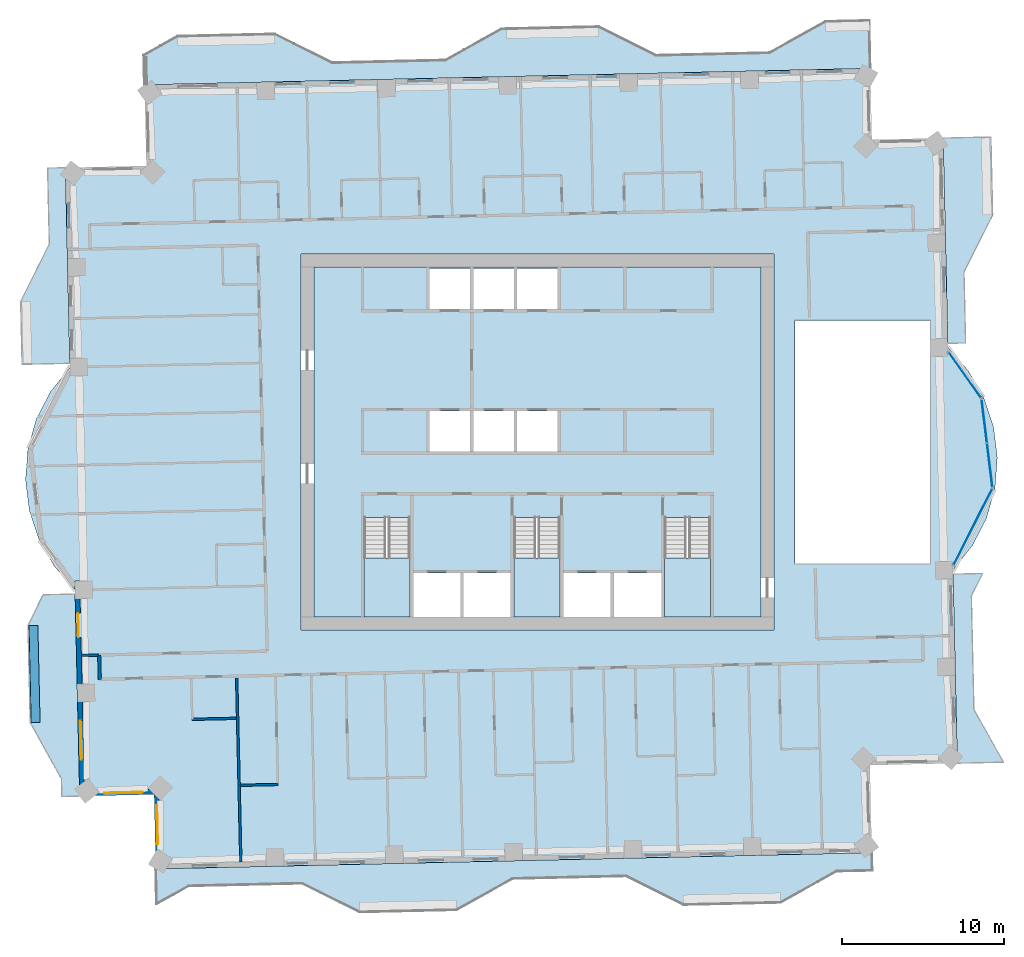
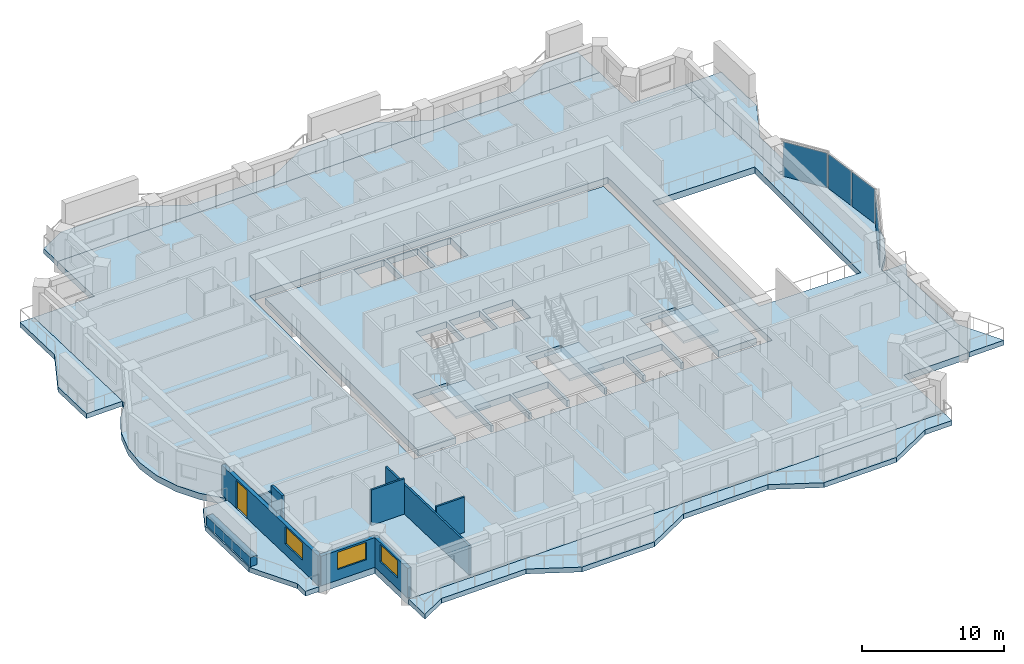
# One storey, part 5 of 17: 11 slabs, 9 walls, 4 plates, 3 windows, 1 door, 4 openings, 6 elements without a shape of their own.
"""IFC4 building model written with IfcOpenShell, lengths in metres."""

from ifc_helpers import new_model, si_unit, direction, frame, frame_2d, origin, origin_2d, place, context, subcontext, project, spatial, polyline, rectangle, outline, extrude, material, layer, layer_set, type_object, element, fill, aggregate, save


model = new_model("IFC4")

# Units and contexts
model_context = context("Model", 3, precision=1e-05, world=origin(), true_north=direction((0.0, 1.0)))
body_context = subcontext(model_context, "Body", "Model", "MODEL_VIEW")
ifc_project = project(units=[si_unit("LENGTHUNIT", "METRE"), si_unit("AREAUNIT", "SQUARE_METRE"), si_unit("VOLUMEUNIT", "CUBIC_METRE"), si_unit("PLANEANGLEUNIT", "RADIAN"), si_unit("MASSUNIT", "GRAM", prefix="KILO")], contexts=[model_context])

# Site, building, storey
site_placement = place(None, origin())
site = spatial("IfcSite", under=ifc_project, at=site_placement, CompositionType="ELEMENT")
building_placement = place(site_placement, origin())
building = spatial("IfcBuilding", under=site, at=building_placement, Name="Mangrove Gate Tower", CompositionType="ELEMENT")
storey_placement = place(building_placement, frame((0.0, 0.0, 234.699951171875)))
storey = spatial("IfcBuildingStorey", under=building, at=storey_placement, Name="L59", CompositionType="ELEMENT", Elevation=234.699951171875)

# Curtain wall, plate
ifc_material_1 = material(Name="Aluminium and glass curtain wall", Category="aluminium")
curtain_wall_type = type_object("IfcCurtainWallType", Name="Atrium garden-court glazing wall", PredefinedType="NOTDEFINED", material=ifc_material_1)
curtain_wall_1_placement = place(storey_placement, origin())
curtain_wall_1 = element("IfcCurtainWall", 1, at=curtain_wall_1_placement, inside=storey, type_object=curtain_wall_type, Name="Atrium garden-court glazing E1f1", PredefinedType="NOTDEFINED")
ifc_material_2 = material(Name="Laminated low-e glass", Category="glass")
ifc_layer_1 = layer(ifc_material_2, 0.031982421875)
ifc_layer_set_1 = layer_set([ifc_layer_1], Name="Atrium garden-court glazing panel 32")
plate_type = type_object("IfcPlateType", Name="Atrium garden-court glazing panel 32", PredefinedType="CURTAIN_PANEL", material=ifc_layer_set_1)
plate_1_placement = place(storey_placement, frame((26.87890625, -5.256591796875, 0.0), z_axis=(0.0, 0.0, 1.0), x_axis=(0.452597795636, 0.891714772439, 0.0)))
plate_1 = element("IfcPlate", 2, at=plate_1_placement, type_object=plate_type, Name="CWA panel 1.1", PredefinedType="CURTAIN_PANEL", context=body_context, shape_type="SweptSolid", body=[
    extrude(rectangle(XDim=5.258056640625, YDim=0.031982421875, at=origin_2d()), origin(), (0.0, 0.0, 1.0), 2.97998046875),
])
aggregate(curtain_wall_1, [plate_1])

# Curtain wall, plates
curtain_wall_2_placement = place(storey_placement, origin())
curtain_wall_2 = element("IfcCurtainWall", 3, at=curtain_wall_2_placement, inside=storey, type_object=curtain_wall_type, Name="Atrium garden-court glazing E1f2", PredefinedType="NOTDEFINED")
plate_2_placement = place(storey_placement, frame((27.92822265625, -1.449462890625, 0.0), z_axis=(0.0, 0.0, 1.0), x_axis=(-0.122172285885, 0.992508908051, 0.0)))
plate_2 = element("IfcPlate", 4, at=plate_2_placement, type_object=plate_type, Name="CWA panel 1.1", PredefinedType="CURTAIN_PANEL", context=body_context, shape_type="SweptSolid", body=[
    extrude(rectangle(XDim=2.681640625, YDim=0.031982421875, at=origin_2d()), origin(), (0.0, 0.0, 1.0), 2.97998046875),
])
plate_3_placement = place(storey_placement, frame((27.592041015625, 1.281494140625, 0.0), z_axis=(0.0, 0.0, 1.0), x_axis=(-0.122172285885, 0.992508908051, 0.0)))
plate_3 = element("IfcPlate", 5, at=plate_3_placement, type_object=plate_type, Name="CWA panel 2.1", PredefinedType="CURTAIN_PANEL", context=body_context, shape_type="SweptSolid", body=[
    extrude(rectangle(XDim=2.681640625, YDim=0.031982421875, at=origin_2d()), origin(), (0.0, 0.0, 1.0), 2.97998046875),
])
aggregate(curtain_wall_2, [plate_2, plate_3])

# Curtain wall, plate
curtain_wall_3_placement = place(storey_placement, origin())
curtain_wall_3 = element("IfcCurtainWall", 6, at=curtain_wall_3_placement, inside=storey, type_object=curtain_wall_type, Name="Atrium garden-court glazing E1f3", PredefinedType="NOTDEFINED")
plate_4_placement = place(storey_placement, frame((26.38818359375, 4.1376953125, 0.0), z_axis=(0.0, 0.0, 1.0), x_axis=(-0.578120908245, 0.815951110944, 0.0)))
plate_4 = element("IfcPlate", 7, at=plate_4_placement, type_object=plate_type, Name="CWA panel 1.1", PredefinedType="CURTAIN_PANEL", context=body_context, shape_type="SweptSolid", body=[
    extrude(rectangle(XDim=3.4287109375, YDim=0.031982421875, at=origin_2d()), origin(), (0.0, 0.0, 1.0), 2.97998046875),
])
aggregate(curtain_wall_3, [plate_4])

# Slabs
ifc_material_3 = material(Name="Porcelain tile")
ifc_layer_2 = layer(ifc_material_3, 0.02001953125, Name="Tile finish")
ifc_material_4 = material(Name="Cement sand screed")
ifc_layer_3 = layer(ifc_material_4, 0.0400390625, Name="Screed laid to falls")
ifc_material_5 = material(Name="Bituminous waterproofing membrane")
ifc_layer_4 = layer(ifc_material_5, 0.00390625, Name="Waterproofing")
ifc_material_6 = material(Name="Concrete C40/50", Category="concrete")
ifc_layer_5 = layer(ifc_material_6, 0.340087890625, Name="Balcony structural slab")
ifc_material_7 = material(Name="Limestone", Category="masonry")
ifc_layer_6 = layer(ifc_material_7, 0.01611328125, Name="Soffit lining")
ifc_layer_set_2 = layer_set([ifc_layer_2, ifc_layer_3, ifc_layer_4, ifc_layer_5, ifc_layer_6], Name="Balcony slab 420 C40/50")
slab_type_1 = type_object("IfcSlabType", Name="Balcony slab 420 C40/50", PredefinedType="FLOOR", material=ifc_layer_set_2)
slab_1_placement = place(storey_placement, frame((0.0, 0.0, -0.419921875)))
element("IfcSlab", 8, at=slab_1_placement, inside=storey, type_object=slab_type_1, Name="BALCONY L59 E0", PredefinedType="FLOOR", context=body_context, shape_type="SweptSolid", body=[
    extrude(outline(polyline([(28.806884765625, -19.764892578125), (26.988037109375, -16.5048828125), (26.830078125, -9.507080078125), (27.52490234375, -8.115966796875), (25.658935546875, -8.158935546875), (25.68994140625, -9.532958984375), (25.84912109375, -16.531005859375), (25.924072265625, -19.830078125), (28.806884765625, -19.764892578125)])), origin(), (0.0, 0.0, 1.0), 0.419921875),
])
slab_2_placement = place(storey_placement, frame((0.0, 0.0, -0.419921875)))
element("IfcSlab", 9, at=slab_2_placement, inside=storey, type_object=slab_type_1, Name="BALCONY L59 E1", PredefinedType="FLOOR", context=body_context, shape_type="SweptSolid", body=[
    extrude(outline(polyline([(26.47509765625, 6.114013671875), (26.3759765625, 10.488037109375), (28.14599609375, 14.029052734375), (28.037109375, 18.827880859375), (25.048095703125, 18.760009765625), (25.156982421875, 13.9609375), (25.236083984375, 10.4619140625), (25.3349609375, 6.087890625), (26.47509765625, 6.114013671875)])), origin(), (0.0, 0.0, 1.0), 0.419921875),
])
slab_3_placement = place(storey_placement, frame((0.0, 0.0, -0.419921875)))
element("IfcSlab", 10, at=slab_3_placement, inside=storey, type_object=slab_type_1, Name="BALCONY L59 N0", PredefinedType="FLOOR", context=body_context, shape_type="SweptSolid", body=[
    extrude(outline(polyline([(20.48095703125, 26.048095703125), (17.778076171875, 25.987060546875), (14.321044921875, 24.05810546875), (7.322998046875, 23.89892578125), (3.781982421875, 25.6689453125), (-2.217041015625, 25.532958984375), (-5.674072265625, 23.60400390625), (-12.672119140625, 23.446044921875), (-16.212890625, 25.215087890625), (-22.2119140625, 25.0791015625), (-24.2900390625, 23.919921875), (-24.2470703125, 22.0419921875), (20.549072265625, 23.05908203125), (20.48095703125, 26.048095703125)])), origin(), (0.0, 0.0, 1.0), 0.419921875),
])
slab_4_placement = place(storey_placement, frame((0.0, 0.0, -0.419921875)))
element("IfcSlab", 11, at=slab_4_placement, inside=storey, type_object=slab_type_1, Name="BALCONY L59 W0", PredefinedType="FLOOR", context=body_context, shape_type="SweptSolid", body=[
    extrude(outline(polyline([(-30.27197265625, 16.904052734375), (-30.166015625, 12.205078125), (-31.93603515625, 8.6640625), (-31.847900390625, 4.791015625), (-28.85888671875, 4.85888671875), (-28.947021484375, 8.73193359375), (-29.02587890625, 12.23095703125), (-29.133056640625, 16.929931640625), (-30.27197265625, 16.904052734375)])), origin(), (0.0, 0.0, 1.0), 0.419921875),
])
slab_5_placement = place(storey_placement, frame((0.0, 0.0, -0.419921875)))
element("IfcSlab", 12, at=slab_5_placement, inside=storey, type_object=slab_type_1, Name="BALCONY L59 W1", PredefinedType="FLOOR", context=body_context, shape_type="SweptSolid", body=[
    extrude(outline(polyline([(-30.533935546875, -9.43408203125), (-31.48193359375, -11.330078125), (-31.345947265625, -17.3291015625), (-29.4169921875, -20.785888671875), (-29.39208984375, -21.885986328125), (-28.251953125, -21.860107421875), (-28.277099609375, -20.760009765625), (-28.35693359375, -17.260986328125), (-28.492919921875, -11.262939453125), (-28.534912109375, -9.387939453125), (-30.533935546875, -9.43408203125)])), origin(), (0.0, 0.0, 1.0), 0.419921875),
])
slab_6_placement = place(storey_placement, frame((0.0, 0.0, -0.419921875)))
element("IfcSlab", 13, at=slab_6_placement, inside=storey, type_object=slab_type_1, Name="BALCONY L59 S0", PredefinedType="FLOOR", context=body_context, shape_type="SweptSolid", body=[
    extrude(outline(polyline([(-23.4990234375, -28.552978515625), (-21.52001953125, -27.448974609375), (-14.52197265625, -27.2900390625), (-10.98095703125, -29.06005859375), (-4.98193359375, -28.924072265625), (-1.52490234375, -26.9951171875), (5.472900390625, -26.8369140625), (9.013916015625, -28.60595703125), (15.012939453125, -28.469970703125), (18.469970703125, -26.541015625), (20.673095703125, -26.490966796875), (20.64697265625, -25.35107421875), (-23.549072265625, -26.35400390625), (-23.4990234375, -28.552978515625)])), origin(), (0.0, 0.0, 1.0), 0.419921875),
])
ifc_material_8 = material(Name="Concrete C40/50", Category="concrete")
ifc_layer_7 = layer(ifc_material_8, 0.550048828125)
ifc_layer_set_3 = layer_set([ifc_layer_7], Name="Core floor slab 550 C40/50")
slab_type_2 = type_object("IfcSlabType", Name="Core floor slab 550 C40/50", PredefinedType="FLOOR", material=ifc_layer_set_3)
slab_7_placement = place(storey_placement, frame((0.0, 0.0, -0.550048828125)))
element("IfcSlab", 14, at=slab_7_placement, inside=storey, type_object=slab_type_2, Name="SLAB-L59-CORE-1", PredefinedType="FLOOR", context=body_context, shape_type="SweptSolid", body=[
    extrude(outline(polyline([(-13.800048828125, -10.800048828125), (-13.800048828125, 10.800048828125), (13.800048828125, 10.800048828125), (13.800048828125, -10.800048828125), (10.699951171875, -10.800048828125), (10.699951171875, -4.653076171875), (7.85009765625, -4.653076171875), (7.85009765625, -10.800048828125), (7.64990234375, -10.800048828125), (7.64990234375, -8.10009765625), (4.72509765625, -8.10009765625), (4.72509765625, -10.800048828125), (4.52490234375, -10.800048828125), (4.52490234375, -8.10009765625), (1.60009765625, -8.10009765625), (1.60009765625, -10.800048828125), (1.39990234375, -10.800048828125), (1.39990234375, -4.653076171875), (-1.449951171875, -4.653076171875), (-1.449951171875, -10.800048828125), (-1.64990234375, -10.800048828125), (-1.64990234375, -8.10009765625), (-4.550048828125, -8.10009765625), (-4.550048828125, -10.800048828125), (-4.75, -10.800048828125), (-4.75, -8.10009765625), (-7.64990234375, -8.10009765625), (-7.64990234375, -10.800048828125), (-7.85009765625, -10.800048828125), (-7.85009765625, -4.653076171875), (-10.699951171875, -4.653076171875), (-10.699951171875, -10.800048828125), (-13.800048828125, -10.800048828125)]), holes=[polyline([(-4.14990234375, 1.89990234375), (-6.64990234375, 1.89990234375), (-6.64990234375, -0.60009765625), (-4.14990234375, -0.60009765625), (-4.14990234375, 1.89990234375)]), polyline([(-1.449951171875, -0.60009765625), (-1.449951171875, 1.89990234375), (-3.949951171875, 1.89990234375), (-3.949951171875, -0.60009765625), (-1.449951171875, -0.60009765625)]), polyline([(-4.14990234375, 8.199951171875), (-4.14990234375, 10.699951171875), (-6.64990234375, 10.699951171875), (-6.64990234375, 8.199951171875), (-4.14990234375, 8.199951171875)]), polyline([(-1.449951171875, 10.699951171875), (-3.949951171875, 10.699951171875), (-3.949951171875, 8.199951171875), (-1.449951171875, 8.199951171875), (-1.449951171875, 10.699951171875)]), polyline([(1.25, -0.60009765625), (1.25, 1.89990234375), (-1.25, 1.89990234375), (-1.25, -0.60009765625), (1.25, -0.60009765625)]), polyline([(1.25, 8.199951171875), (1.25, 10.699951171875), (-1.25, 10.699951171875), (-1.25, 8.199951171875), (1.25, 8.199951171875)])]), origin(), (0.0, 0.0, 1.0), 0.550048828125),
])

# Stair, slab
ifc_material_9 = material(Name="Concrete C40/50", Category="concrete")
stair_type = type_object("IfcStairType", Name="Core stair 1350", PredefinedType="HALF_TURN_STAIR", material=ifc_material_9)
stair_1_placement = place(storey_placement, origin())
stair_1 = element("IfcStair", 15, at=stair_1_placement, inside=storey, type_object=stair_type, Name="L59 Stair 1", PredefinedType="HALF_TURN_STAIR")
ifc_material_10 = material(Name="Concrete C40/50", Category="concrete")
ifc_layer_8 = layer(ifc_material_10, 0.199951171875)
ifc_layer_set_4 = layer_set([ifc_layer_8], Name="Core stair landing 200")
slab_type_3 = type_object("IfcSlabType", Name="Core stair landing 200", PredefinedType="LANDING", material=ifc_layer_set_4)
slab_8_placement = place(storey_placement, frame((0.0, 0.0, 1.60009765625)))
slab_8 = element("IfcSlab", 16, at=slab_8_placement, type_object=slab_type_3, Name="ST1 landing 1", PredefinedType="LANDING", context=body_context, shape_type="SweptSolid", body=[
    extrude(outline(polyline([(-10.699951171875, -7.169921875), (-10.699951171875, -10.800048828125), (-7.85009765625, -10.800048828125), (-7.85009765625, -7.169921875), (-10.699951171875, -7.169921875)])), origin(), (0.0, 0.0, 1.0), 0.199951171875),
])
aggregate(stair_1, [slab_8])

stair_2_placement = place(storey_placement, origin())
stair_2 = element("IfcStair", 17, at=stair_2_placement, inside=storey, type_object=stair_type, Name="L59 Stair 2", PredefinedType="HALF_TURN_STAIR")
slab_9_placement = place(storey_placement, frame((0.0, 0.0, 1.60009765625)))
slab_9 = element("IfcSlab", 18, at=slab_9_placement, type_object=slab_type_3, Name="ST2 landing 1", PredefinedType="LANDING", context=body_context, shape_type="SweptSolid", body=[
    extrude(outline(polyline([(-1.449951171875, -7.169921875), (-1.449951171875, -10.800048828125), (1.39990234375, -10.800048828125), (1.39990234375, -7.169921875), (-1.449951171875, -7.169921875)])), origin(), (0.0, 0.0, 1.0), 0.199951171875),
])
aggregate(stair_2, [slab_9])

stair_3_placement = place(storey_placement, origin())
stair_3 = element("IfcStair", 19, at=stair_3_placement, inside=storey, type_object=stair_type, Name="L59 Stair 3", PredefinedType="HALF_TURN_STAIR")
slab_10_placement = place(storey_placement, frame((0.0, 0.0, 1.60009765625)))
slab_10 = element("IfcSlab", 20, at=slab_10_placement, type_object=slab_type_3, Name="ST3 landing 1", PredefinedType="LANDING", context=body_context, shape_type="SweptSolid", body=[
    extrude(outline(polyline([(7.85009765625, -7.169921875), (7.85009765625, -10.800048828125), (10.699951171875, -10.800048828125), (10.699951171875, -7.169921875), (7.85009765625, -7.169921875)])), origin(), (0.0, 0.0, 1.0), 0.199951171875),
])
aggregate(stair_3, [slab_10])

# Slab
ifc_material_11 = material(Name="Concrete C40/50", Category="concrete")
ifc_layer_9 = layer(ifc_material_11, 0.550048828125)
ifc_layer_set_5 = layer_set([ifc_layer_9], Name="Floor slab 550 C40/50")
slab_type_4 = type_object("IfcSlabType", Name="Floor slab 550 C40/50", PredefinedType="FLOOR", material=ifc_layer_set_5)
slab_11_placement = place(storey_placement, frame((0.0, 0.0, -0.550048828125)))
element("IfcSlab", 21, at=slab_11_placement, inside=storey, type_object=slab_type_4, Name="Floor slab L59", PredefinedType="FLOOR", context=body_context, shape_type="SweptSolid", body=[
    extrude(outline(polyline([(-23.549072265625, -26.354248046875), (20.6474609375, -25.351318359375), (20.52490234375, -19.95263671875), (25.923583984375, -19.830322265625), (25.653076171875, -7.90869140625), (26.849609375, -6.416259765625), (27.7265625, -4.71630859375), (28.2490234375, -2.87646484375), (28.396240234375, -0.96923828125), (28.16259765625, 0.92919921875), (27.55712890625, 2.74365234375), (26.60400390625, 4.40185546875), (25.341064453125, 5.83837890625), (25.0478515625, 18.759765625), (20.64892578125, 18.659912109375), (20.549072265625, 23.058837890625), (-24.247314453125, 22.042236328125), (-24.1337890625, 17.04345703125), (-29.132568359375, 16.93017578125), (-28.85302734375, 4.608642578125), (-30.049560546875, 3.1162109375), (-30.926513671875, 1.41650390625), (-31.448974609375, -0.423583984375), (-31.59619140625, -2.330810546875), (-31.362548828125, -4.229248046875), (-30.757080078125, -6.043701171875), (-29.803955078125, -7.701904296875), (-28.541015625, -9.138427734375), (-28.25244140625, -21.85986328125), (-23.653564453125, -21.755615234375), (-23.549072265625, -26.354248046875)]), holes=[polyline([(15.89990234375, 7.5), (24.22705078125, 7.5), (24.22705078125, -7.5), (15.89990234375, -7.5), (15.89990234375, 7.5)]), polyline([(-14.60009765625, -11.60009765625), (-14.60009765625, 11.60009765625), (14.60009765625, 11.60009765625), (14.60009765625, -11.60009765625), (-14.60009765625, -11.60009765625)])]), origin(), (0.0, 0.0, 1.0), 0.550048828125),
])

# Wall
ifc_material_12 = material(Name="Gypsum board on steel stud, EI 60", Category="steel")
ifc_layer_10 = layer(ifc_material_12, 0.199951171875)
ifc_layer_set_6 = layer_set([ifc_layer_10], Name="Corridor wall EI 60")
wall_type_1 = type_object("IfcWallType", Name="Corridor wall EI 60", PredefinedType="PARTITIONING", material=ifc_layer_set_6)
wall_1_placement = place(storey_placement, frame((-27.011962890625, -14.654052734375, 0.0), z_axis=(0.0, 0.0, 1.0), x_axis=(-0.022617910375, 0.999744182344, 0.0)))
element("IfcWall", 22, at=wall_1_placement, inside=storey, type_object=wall_type_1, Name="WALL-L59-027", PredefinedType="PARTITIONING", context=body_context, shape_type="SweptSolid", body=[
    extrude(rectangle(XDim=1.50048828125, YDim=0.199951171875, at=frame_2d((0.750244140625, 0.0))), origin(), (0.0, 0.0, 1.0), 3.050048828125),
])

# Wall, openings, door, window
ifc_layer_11 = layer(ifc_material_7, 0.0400390625, Name="Limestone cladding")
ifc_material_13 = material(Name="Ventilated air gap")
ifc_layer_12 = layer(ifc_material_13, 0.0400390625, Name="Ventilated cavity")
ifc_material_14 = material(Name="Mineral wool insulation")
ifc_layer_13 = layer(ifc_material_14, 0.06005859375, Name="Insulation")
ifc_material_15 = material(Name="Breather membrane")
ifc_layer_14 = layer(ifc_material_15, 0.001953125, Name="Breather membrane")
ifc_material_16 = material(Name="Concrete C20/25 blockwork", Category="masonry")
ifc_layer_15 = layer(ifc_material_16, 0.14990234375, Name="Blockwork backing wall")
ifc_material_17 = material(Name="Gypsum plaster")
ifc_layer_16 = layer(ifc_material_17, 0.008056640625, Name="Internal plaster")
ifc_layer_set_7 = layer_set([ifc_layer_11, ifc_layer_12, ifc_layer_13, ifc_layer_14, ifc_layer_15, ifc_layer_16], Name="External wall 300 limestone cladding")
wall_type_2 = type_object("IfcWallType", Name="External wall 300 limestone cladding", PredefinedType="SOLIDWALL", material=ifc_layer_set_7)
wall_2_placement = place(storey_placement, frame((-28.404052734375, -8.5849609375, 0.0), z_axis=(0.0, 0.0, 1.0), x_axis=(0.022711264838, -0.99974206596, 0.0)))
wall_2 = element("IfcWall", 23, at=wall_2_placement, inside=storey, type_object=wall_type_2, Name="WALL-L59-W10s1", PredefinedType="SOLIDWALL", context=body_context, shape_type="SweptSolid", body=[
    extrude(rectangle(XDim=13.12548828125, YDim=0.300048828125, at=frame_2d((6.562744140625, 0.0))), origin(), (0.0, 0.0, 1.0), 2.550048828125),
])
opening_1_placement = place(wall_2_placement, frame((1.97509765625, 0.0, 0.0)))
opening_1 = element("IfcOpeningElement", 24, at=opening_1_placement, cuts=wall_2, Name="Opening BD1", PredefinedType="OPENING", context=body_context, shape_type="SweptSolid", body=[
    extrude(rectangle(XDim=1.5, YDim=2.39990234375, at=frame_2d((0.75, 1.199951171875))), frame((0.0, 0.159912109375, 0.0), z_axis=(0.0, -1.0, 0.0), x_axis=(1.0, 0.0, 0.0)), (0.0, 0.0, 1.0), 0.320068359375),
])
opening_2_placement = place(wall_2_placement, frame((8.6240234375, 0.0, 0.89990234375)))
opening_2 = element("IfcOpeningElement", 25, at=opening_2_placement, cuts=wall_2, Name="Opening W2", PredefinedType="OPENING", context=body_context, shape_type="SweptSolid", body=[
    extrude(rectangle(XDim=2.39990234375, YDim=1.5, at=frame_2d((1.199951171875, 0.75))), frame((0.0, 0.159912109375, 0.0), z_axis=(0.0, -1.0, 0.0), x_axis=(1.0, 0.0, 0.0)), (0.0, 0.0, 1.0), 0.320068359375),
])
ifc_material_18 = material(Name="Aluminium frame with laminated clear glass", Category="aluminium")
door_type = type_object("IfcDoorType", Name="Balcony sliding door 1500x2400", OperationType="SLIDING_TO_LEFT", PredefinedType="DOOR", material=ifc_material_18)
door_placement = place(opening_1_placement, origin())
door = element("IfcDoor", 26, at=door_placement, inside=storey, type_object=door_type, Name="DOOR-L59-W10-1", OperationType="SLIDING_TO_LEFT", OverallHeight=2.39990234375, OverallWidth=1.5, PredefinedType="DOOR", context=body_context, shape_type="SweptSolid", body=[
    extrude(rectangle(XDim=1.5, YDim=2.39990234375, at=frame_2d((0.75, 1.199951171875))), frame((0.0, 0.02490234375, 0.0), z_axis=(0.0, -1.0, 0.0), x_axis=(1.0, 0.0, 0.0)), (0.0, 0.0, 1.0), 0.050048828125),
])
fill(opening_1, door)
ifc_material_19 = material(Name="Aluminium frame with double-glazed low-e glass", Category="aluminium")
window_type = type_object("IfcWindowType", Name="Corner room window 2400x1500", PartitioningType="DOUBLE_PANEL_VERTICAL", PredefinedType="WINDOW", material=ifc_material_19)
window_1_placement = place(opening_2_placement, origin())
window_1 = element("IfcWindow", 27, at=window_1_placement, inside=storey, type_object=window_type, Name="WIN-L59-W10-2", OverallHeight=1.5, OverallWidth=2.39990234375, PartitioningType="DOUBLE_PANEL_VERTICAL", PredefinedType="WINDOW", context=body_context, shape_type="SweptSolid", body=[
    extrude(rectangle(XDim=2.39990234375, YDim=1.5, at=frame_2d((1.199951171875, 0.75))), frame((0.0, 0.030029296875, 0.0), z_axis=(0.0, -1.0, 0.0), x_axis=(1.0, 0.0, 0.0)), (0.0, 0.0, 1.0), 0.06005859375),
])
fill(opening_2, window_1)

# Wall, opening, window
wall_3_placement = place(storey_placement, frame((-28.10595703125, -21.70703125, 0.0), z_axis=(0.0, 0.0, 1.0), x_axis=(0.999739556364, 0.022821468877, 0.0)))
wall_3 = element("IfcWall", 28, at=wall_3_placement, inside=storey, type_object=wall_type_2, Name="WALL-L59-S11", PredefinedType="SOLIDWALL", context=body_context, shape_type="SweptSolid", body=[
    extrude(rectangle(XDim=4.60009765625, YDim=0.300048828125, at=frame_2d((2.300048828125, 0.0))), origin(), (0.0, 0.0, 1.0), 2.550048828125),
])
opening_3_placement = place(wall_3_placement, frame((1.362060546875, 0.0, 0.89990234375)))
opening_3 = element("IfcOpeningElement", 29, at=opening_3_placement, cuts=wall_3, Name="Opening W2", PredefinedType="OPENING", context=body_context, shape_type="SweptSolid", body=[
    extrude(rectangle(XDim=2.39990234375, YDim=1.5, at=frame_2d((1.199951171875, 0.75))), frame((0.0, 0.159912109375, 0.0), z_axis=(0.0, -1.0, 0.0), x_axis=(1.0, 0.0, 0.0)), (0.0, 0.0, 1.0), 0.320068359375),
])
window_2_placement = place(opening_3_placement, origin())
window_2 = element("IfcWindow", 30, at=window_2_placement, inside=storey, type_object=window_type, Name="WIN-L59-S11-1", OverallHeight=1.5, OverallWidth=2.39990234375, PartitioningType="DOUBLE_PANEL_VERTICAL", PredefinedType="WINDOW", context=body_context, shape_type="SweptSolid", body=[
    extrude(rectangle(XDim=2.39990234375, YDim=1.5, at=frame_2d((1.199951171875, 0.75))), frame((0.0, 0.030029296875, 0.0), z_axis=(0.0, -1.0, 0.0), x_axis=(1.0, 0.0, 0.0)), (0.0, 0.0, 1.0), 0.06005859375),
])
fill(opening_3, window_2)

wall_4_placement = place(storey_placement, frame((-23.507080078125, -21.60205078125, 0.0), z_axis=(0.0, 0.0, 1.0), x_axis=(0.022609285172, -0.999744377441, 0.0)))
wall_4 = element("IfcWall", 31, at=wall_4_placement, inside=storey, type_object=wall_type_2, Name="WALL-L59-W12", PredefinedType="SOLIDWALL", context=body_context, shape_type="SweptSolid", body=[
    extrude(rectangle(XDim=4.60009765625, YDim=0.300048828125, at=frame_2d((2.300048828125, 0.0))), origin(), (0.0, 0.0, 1.0), 2.550048828125),
])
opening_4_placement = place(wall_4_placement, frame((0.83203125, 0.0, 0.89990234375)))
opening_4 = element("IfcOpeningElement", 32, at=opening_4_placement, cuts=wall_4, Name="Opening W2", PredefinedType="OPENING", context=body_context, shape_type="SweptSolid", body=[
    extrude(rectangle(XDim=2.39990234375, YDim=1.5, at=frame_2d((1.199951171875, 0.75))), frame((0.0, 0.159912109375, 0.0), z_axis=(0.0, -1.0, 0.0), x_axis=(1.0, 0.0, 0.0)), (0.0, 0.0, 1.0), 0.320068359375),
])
window_3_placement = place(opening_4_placement, origin())
window_3 = element("IfcWindow", 33, at=window_3_placement, inside=storey, type_object=window_type, Name="WIN-L59-W12-1", OverallHeight=1.5, OverallWidth=2.39990234375, PartitioningType="DOUBLE_PANEL_VERTICAL", PredefinedType="WINDOW", context=body_context, shape_type="SweptSolid", body=[
    extrude(rectangle(XDim=2.39990234375, YDim=1.5, at=frame_2d((1.199951171875, 0.75))), frame((0.0, 0.030029296875, 0.0), z_axis=(0.0, -1.0, 0.0), x_axis=(1.0, 0.0, 0.0)), (0.0, 0.0, 1.0), 0.06005859375),
])
fill(opening_4, window_3)

# Walls
ifc_material_20 = material(Name="Gypsum board on steel stud, EI 60", Category="steel")
ifc_layer_17 = layer(ifc_material_20, 0.14990234375)
ifc_layer_set_8 = layer_set([ifc_layer_17], Name="Party wall 150 EI 60")
wall_type_3 = type_object("IfcWallType", Name="Party wall 150 EI 60", PredefinedType="PARTITIONING", material=ifc_layer_set_8)
wall_5_placement = place(storey_placement, frame((-18.302978515625, -25.93505859375, 0.0), z_axis=(0.0, 0.0, 1.0), x_axis=(-0.022684355347, 0.999742676904, 0.0)))
element("IfcWall", 34, at=wall_5_placement, inside=storey, type_object=wall_type_3, Name="WALL-L59-001", PredefinedType="PARTITIONING", context=body_context, shape_type="SweptSolid", body=[
    extrude(rectangle(XDim=11.3759765625, YDim=0.14990234375, at=frame_2d((5.68798828125, 0.0))), origin(), (0.0, 0.0, 1.0), 2.550048828125),
])
wall_6_placement = place(storey_placement, frame((-18.340087890625, -21.195068359375, 0.0), z_axis=(0.0, 0.0, 1.0), x_axis=(0.99974053329, 0.022778632478, 0.0)))
element("IfcWall", 35, at=wall_6_placement, inside=storey, type_object=wall_type_3, Name="WALL-L59-012", PredefinedType="PARTITIONING", context=body_context, shape_type="SweptSolid", body=[
    extrude(rectangle(XDim=2.32568359375, YDim=0.14990234375, at=frame_2d((1.162841796875, 0.0))), origin(), (0.0, 0.0, 1.0), 3.050048828125),
])
wall_7_placement = place(storey_placement, frame((-21.30810546875, -17.12109375, 0.0), z_axis=(0.0, 0.0, 1.0), x_axis=(0.999741002259, 0.022758040381, 0.0)))
element("IfcWall", 36, at=wall_7_placement, inside=storey, type_object=wall_type_3, Name="WALL-L59-026", PredefinedType="PARTITIONING", context=body_context, shape_type="SweptSolid", body=[
    extrude(rectangle(XDim=2.724853515625, YDim=0.14990234375, at=frame_2d((1.3623046875, 0.0))), origin(), (0.0, 0.0, 1.0), 3.050048828125),
])
wall_8_placement = place(storey_placement, frame((-28.14990234375, -13.175048828125, 0.0), z_axis=(0.0, 0.0, 1.0), x_axis=(0.999740692912, 0.02277162569, 0.0)))
element("IfcWall", 37, at=wall_8_placement, inside=storey, type_object=wall_type_3, Name="WALL-L59-032", PredefinedType="PARTITIONING", context=body_context, shape_type="SweptSolid", body=[
    extrude(rectangle(XDim=1.104248046875, YDim=0.14990234375, at=frame_2d((0.55224609375, 0.0))), origin(), (0.0, 0.0, 1.0), 2.550048828125),
])
ifc_material_21 = material(Name="Concrete C32/40", Category="concrete")
ifc_layer_18 = layer(ifc_material_21, 0.199951171875, Name="Planter trough wall")
ifc_layer_19 = layer(ifc_material_5, 0.0048828125, Name="Waterproofing")
ifc_material_22 = material(Name="Drainage board and gravel")
ifc_layer_20 = layer(ifc_material_22, 0.044921875, Name="Drainage layer")
ifc_material_23 = material(Name="Planting soil")
ifc_layer_21 = layer(ifc_material_23, 0.300048828125, Name="Growing medium")
ifc_layer_set_9 = layer_set([ifc_layer_18, ifc_layer_19, ifc_layer_20, ifc_layer_21], Name="Planter wall 550 C32/40")
wall_type_4 = type_object("IfcWallType", Name="Planter wall 550 C32/40", PredefinedType="USERDEFINED", material=ifc_layer_set_9)
wall_9_placement = place(storey_placement, frame((-30.970947265625, -17.321044921875, 0.0), z_axis=(0.0, 0.0, 1.0), x_axis=(-0.022662255828, 0.999743178102, 0.0)))
element("IfcWall", 38, at=wall_9_placement, inside=storey, type_object=wall_type_4, Name="PLANTER L59 W1.1", ObjectType="PLANTER", PredefinedType="USERDEFINED", context=body_context, shape_type="SweptSolid", body=[
    extrude(rectangle(XDim=6.00048828125, YDim=0.550048828125, at=frame_2d((3.000244140625, 0.0))), origin(), (0.0, 0.0, 1.0), 0.800048828125),
])

save(model, "model.ifc")
